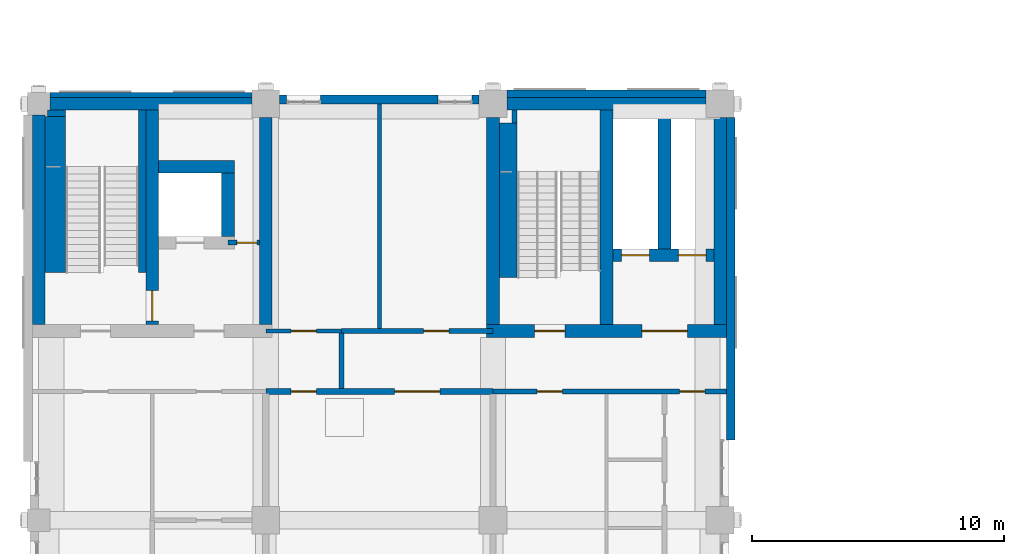
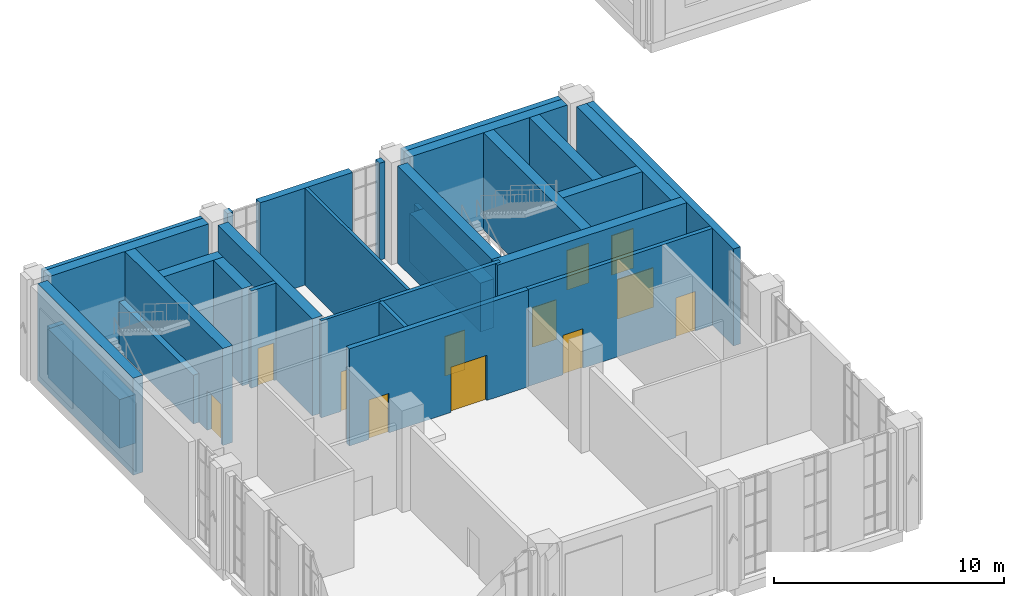
# One storey, part 26 of 39: 31 walls, 12 doors, 12 openings.
"""IFC4 building model written with IfcOpenShell, lengths in metres."""

from ifc_helpers import new_model, si_unit, direction, frame, frame_2d, origin, place, context, subcontext, project, spatial, rectangle, extrude, material, layer, layer_set, type_object, element, fill, save


model = new_model("IFC4")

# Units and contexts
model_context = context("Model", 3, precision=1e-05, world=origin(), true_north=direction((0.0, 1.0)))
body_context = subcontext(model_context, "Body", "Model", "MODEL_VIEW")
ifc_project = project(units=[si_unit("LENGTHUNIT", "METRE"), si_unit("AREAUNIT", "SQUARE_METRE"), si_unit("VOLUMEUNIT", "CUBIC_METRE"), si_unit("PLANEANGLEUNIT", "RADIAN"), si_unit("MASSUNIT", "GRAM", prefix="KILO")], contexts=[model_context])

# Site, building, storey
site_placement = place(None, origin())
site = spatial("IfcSite", under=ifc_project, at=site_placement, CompositionType="ELEMENT")
building_placement = place(site_placement, origin())
building = spatial("IfcBuilding", under=site, at=building_placement, Name="Aurelan Courthouse", CompositionType="ELEMENT")
storey_placement = place(building_placement, frame((0.0, 0.0, 28.199951171875)))
storey = spatial("IfcBuildingStorey", under=building, at=storey_placement, Name="L05", CompositionType="ELEMENT", Elevation=28.199951171875)

# Wall, opening, door
ifc_material_1 = material(Name="Gypsum board on metal studs")
ifc_layer_1 = layer(ifc_material_1, 0.14990234375)
ifc_layer_set_1 = layer_set([ifc_layer_1], Name="Gypsum board on metal studs")
wall_type_1 = type_object("IfcWallType", Name="Corridor partition 150 EI 60", PredefinedType="PARTITIONING", material=ifc_layer_set_1)
wall_1_placement = place(storey_placement, frame((9.0, 19.5, 0.0), z_axis=(0.0, 0.0, 1.0), x_axis=(1.0, 0.0, 0.0)))
wall_1 = element("IfcWall", 1, at=wall_1_placement, inside=storey, type_object=wall_type_1, Name="Corridor partition L05-011", PredefinedType="PARTITIONING", context=body_context, shape_type="SweptSolid", body=[
    extrude(rectangle(XDim=3.0, YDim=0.14990234375, at=frame_2d((1.5, 0.0))), origin(), (0.0, 0.0, 1.0), 5.150146484375),
])
opening_1_placement = place(wall_1_placement, frame((1.0, 0.0, 0.0)))
opening_1 = element("IfcOpeningElement", 2, at=opening_1_placement, cuts=wall_1, Name="Opening D-L05-057", PredefinedType="OPENING", context=body_context, shape_type="SweptSolid", body=[
    extrude(rectangle(XDim=1.0, YDim=2.10009765625, at=frame_2d((0.5, 1.050048828125))), frame((0.0, 0.0849609375, 0.0), z_axis=(0.0, -1.0, 0.0), x_axis=(1.0, 0.0, 0.0)), (0.0, 0.0, 1.0), 0.169921875),
])
ifc_material_2 = material(Name="Steel", Category="steel")
door_type_1 = type_object("IfcDoorType", Name="Single door 1000 x 2100 FD60", OperationType="SINGLE_SWING_LEFT", PredefinedType="DOOR", material=ifc_material_2)
door_1_placement = place(opening_1_placement, origin())
door_1 = element("IfcDoor", 3, at=door_1_placement, inside=storey, type_object=door_type_1, Name="Single door D-L05-057", OperationType="SINGLE_SWING_LEFT", OverallHeight=2.10009765625, OverallWidth=1.0, PredefinedType="DOOR", context=body_context, shape_type="SweptSolid", body=[
    extrude(rectangle(XDim=1.0, YDim=2.10009765625, at=frame_2d((0.5, 1.050048828125))), frame((0.0, 0.02490234375, 0.0), z_axis=(0.0, -1.0, 0.0), x_axis=(1.0, 0.0, 0.0)), (0.0, 0.0, 1.0), 0.050048828125),
])
fill(opening_1, door_1)

# Wall, openings, doors
ifc_material_3 = material(Name="Masonry block", Category="masonry")
ifc_layer_2 = layer(ifc_material_3, 0.25)
ifc_layer_set_2 = layer_set([ifc_layer_2], Name="Masonry block")
wall_type_2 = type_object("IfcWallType", Name="Courtroom wall 250 EI 60", PredefinedType="PARTITIONING", material=ifc_layer_set_2)
wall_2_placement = place(storey_placement, frame((9.0, 17.10009765625, 0.0), z_axis=(0.0, 0.0, 1.0), x_axis=(1.0, 0.0, 0.0)))
wall_2 = element("IfcWall", 4, at=wall_2_placement, inside=storey, type_object=wall_type_2, Name="Courtroom wall L05-009", PredefinedType="PARTITIONING", context=body_context, shape_type="SweptSolid", body=[
    extrude(rectangle(XDim=9.0, YDim=0.25, at=frame_2d((4.5, 0.0))), origin(), (0.0, 0.0, 1.0), 5.150146484375),
])
opening_2_placement = place(wall_2_placement, frame((6.900146484375, 0.0, 0.0), z_axis=(0.0, 0.0, 1.0), x_axis=(-1.0, 0.0, 0.0)))
opening_2 = element("IfcOpeningElement", 5, at=opening_2_placement, cuts=wall_2, Name="Opening D-L05-055", PredefinedType="OPENING", context=body_context, shape_type="SweptSolid", body=[
    extrude(rectangle(XDim=1.800048828125, YDim=2.39990234375, at=frame_2d((0.89990234375, 1.199951171875))), frame((0.0, 0.135009765625, 0.0), z_axis=(0.0, -1.0, 0.0), x_axis=(1.0, 0.0, 0.0)), (0.0, 0.0, 1.0), 0.27001953125),
])
opening_3_placement = place(wall_2_placement, frame((2.0, 0.0, 0.0), z_axis=(0.0, 0.0, 1.0), x_axis=(-1.0, 0.0, 0.0)))
opening_3 = element("IfcOpeningElement", 6, at=opening_3_placement, cuts=wall_2, Name="Opening D-L05-056", PredefinedType="OPENING", context=body_context, shape_type="SweptSolid", body=[
    extrude(rectangle(XDim=1.0, YDim=2.10009765625, at=frame_2d((0.5, 1.050048828125))), frame((0.0, 0.135009765625, 0.0), z_axis=(0.0, -1.0, 0.0), x_axis=(1.0, 0.0, 0.0)), (0.0, 0.0, 1.0), 0.27001953125),
])
door_type_2 = type_object("IfcDoorType", Name="Double door 1800 x 2400 FD30", OperationType="DOUBLE_DOOR_SINGLE_SWING", PredefinedType="DOOR", material=ifc_material_2)
door_2_placement = place(opening_2_placement, origin())
door_2 = element("IfcDoor", 7, at=door_2_placement, inside=storey, type_object=door_type_2, Name="Double door D-L05-055", OperationType="DOUBLE_DOOR_SINGLE_SWING", OverallHeight=2.39990234375, OverallWidth=1.800048828125, PredefinedType="DOOR", context=body_context, shape_type="SweptSolid", body=[
    extrude(rectangle(XDim=1.800048828125, YDim=2.39990234375, at=frame_2d((0.89990234375, 1.199951171875))), frame((0.0, 0.02490234375, 0.0), z_axis=(0.0, -1.0, 0.0), x_axis=(1.0, 0.0, 0.0)), (0.0, 0.0, 1.0), 0.050048828125),
])
fill(opening_2, door_2)
door_type_3 = type_object("IfcDoorType", Name="Single door 1000 x 2100 FD30", OperationType="SINGLE_SWING_LEFT", PredefinedType="DOOR", material=ifc_material_2)
door_3_placement = place(opening_3_placement, origin())
door_3 = element("IfcDoor", 8, at=door_3_placement, inside=storey, type_object=door_type_3, Name="Single door D-L05-056", OperationType="SINGLE_SWING_RIGHT", OverallHeight=2.10009765625, OverallWidth=1.0, PredefinedType="DOOR", context=body_context, shape_type="SweptSolid", body=[
    extrude(rectangle(XDim=1.0, YDim=2.10009765625, at=frame_2d((0.5, 1.050048828125))), frame((0.0, 0.02490234375, 0.0), z_axis=(0.0, -1.0, 0.0), x_axis=(1.0, 0.0, 0.0)), (0.0, 0.0, 1.0), 0.050048828125),
])
fill(opening_3, door_3)

# Walls
ifc_material_4 = material(Name="Limestone cladding", Category="masonry")
ifc_layer_3 = layer(ifc_material_4, 0.054931640625, Name="Facing")
ifc_material_5 = material(Name="Ventilated cavity")
ifc_layer_4 = layer(ifc_material_5, 0.02490234375, ventilated=True, Name="Ventilated cavity")
ifc_material_6 = material(Name="Mineral wool insulation")
ifc_layer_5 = layer(ifc_material_6, 0.030029296875, Name="Insulation")
ifc_material_7 = material(Name="Concrete C30", Category="concrete")
ifc_layer_6 = layer(ifc_material_7, 0.090087890625, Name="Structure")
ifc_layer_set_3 = layer_set([ifc_layer_3, ifc_layer_4, ifc_layer_5, ifc_layer_6], Name="Concrete C30")
wall_type_3 = type_object("IfcWallType", Name="Courts' Floors stone-faced wall 200", PredefinedType="SOLIDWALL", material=ifc_layer_set_3)
wall_3_placement = place(storey_placement, frame((0.449951171875, 28.85009765625, 0.0), z_axis=(0.0, 0.0, 1.0), x_axis=(1.0, 0.0, 0.0)))
element("IfcWall", 9, at=wall_3_placement, inside=storey, type_object=wall_type_3, Name="Facade wall FW-V5-L05-009", PredefinedType="SOLIDWALL", context=body_context, shape_type="SweptSolid", body=[
    extrude(rectangle(XDim=8.0, YDim=0.199951171875, at=frame_2d((4.0, 0.0))), origin(), (0.0, 0.0, 1.0), 5.150146484375),
])
ifc_layer_7 = layer(ifc_material_4, 0.0849609375, Name="Facing")
ifc_layer_8 = layer(ifc_material_5, 0.02490234375, ventilated=True, Name="Ventilated cavity")
ifc_layer_9 = layer(ifc_material_6, 0.044921875, Name="Insulation")
ifc_layer_10 = layer(ifc_material_7, 0.14501953125, Name="Structure")
ifc_layer_set_4 = layer_set([ifc_layer_7, ifc_layer_8, ifc_layer_9, ifc_layer_10], Name="Concrete C30")
wall_type_4 = type_object("IfcWallType", Name="Courts' Floors stone-faced wall 300", PredefinedType="SOLIDWALL", material=ifc_layer_set_4)
wall_4_placement = place(storey_placement, frame((18.550048828125, 28.89990234375, 0.0), z_axis=(0.0, 0.0, 1.0), x_axis=(1.0, 0.0, 0.0)))
element("IfcWall", 10, at=wall_4_placement, inside=storey, type_object=wall_type_4, Name="Facade wall FW-V5-L05-013", PredefinedType="SOLIDWALL", context=body_context, shape_type="SweptSolid", body=[
    extrude(rectangle(XDim=7.89990234375, YDim=0.300048828125, at=frame_2d((3.949951171875, 0.0))), origin(), (0.0, 0.0, 1.0), 5.150146484375),
])
ifc_layer_11 = layer(ifc_material_4, 0.10009765625, Name="Facing")
ifc_layer_12 = layer(ifc_material_5, 0.02490234375, ventilated=True, Name="Ventilated cavity")
ifc_layer_13 = layer(ifc_material_6, 0.050048828125, Name="Insulation")
ifc_layer_14 = layer(ifc_material_7, 0.175048828125, Name="Structure")
ifc_layer_set_5 = layer_set([ifc_layer_11, ifc_layer_12, ifc_layer_13, ifc_layer_14], Name="Concrete C30")
wall_type_5 = type_object("IfcWallType", Name="Courts' Floors stone-faced wall 350", PredefinedType="SOLIDWALL", material=ifc_layer_set_5)
wall_5_placement = place(storey_placement, frame((9.550048828125, 28.675048828125, 0.0), z_axis=(0.0, 0.0, 1.0), x_axis=(1.0, 0.0, 0.0)))
element("IfcWall", 11, at=wall_5_placement, inside=storey, type_object=wall_type_5, Name="Facade wall FW-V5-L05-010", PredefinedType="SOLIDWALL", context=body_context, shape_type="SweptSolid", body=[
    extrude(rectangle(XDim=0.27490234375, YDim=0.35009765625, at=frame_2d((0.137451171875, 0.0))), origin(), (0.0, 0.0, 1.0), 5.150146484375),
])
wall_6_placement = place(storey_placement, frame((11.175048828125, 28.675048828125, 0.0), z_axis=(0.0, 0.0, 1.0), x_axis=(1.0, 0.0, 0.0)))
element("IfcWall", 12, at=wall_6_placement, inside=storey, type_object=wall_type_5, Name="Facade wall FW-V5-L05-011", PredefinedType="SOLIDWALL", context=body_context, shape_type="SweptSolid", body=[
    extrude(rectangle(XDim=4.64990234375, YDim=0.35009765625, at=frame_2d((2.324951171875, 0.0))), origin(), (0.0, 0.0, 1.0), 5.150146484375),
])
wall_7_placement = place(storey_placement, frame((17.175048828125, 28.675048828125, 0.0), z_axis=(0.0, 0.0, 1.0), x_axis=(1.0, 0.0, 0.0)))
element("IfcWall", 13, at=wall_7_placement, inside=storey, type_object=wall_type_5, Name="Facade wall FW-V5-L05-012", PredefinedType="SOLIDWALL", context=body_context, shape_type="SweptSolid", body=[
    extrude(rectangle(XDim=0.27490234375, YDim=0.35009765625, at=frame_2d((0.137451171875, 0.0))), origin(), (0.0, 0.0, 1.0), 5.150146484375),
])
wall_8_placement = place(storey_placement, frame((27.425048828125, 15.1875, 0.0), z_axis=(0.0, 0.0, 1.0), x_axis=(0.0, 1.0, 0.0)))
element("IfcWall", 14, at=wall_8_placement, inside=storey, type_object=wall_type_5, Name="Facade wall FW-V5-L05-019", PredefinedType="SOLIDWALL", context=body_context, shape_type="SweptSolid", body=[
    extrude(rectangle(XDim=12.762451171875, YDim=0.35009765625, at=frame_2d((6.38134765625, 0.0))), origin(), (0.0, 0.0, 1.0), 5.150146484375),
])

# Wall, openings, doors
ifc_layer_15 = layer(ifc_material_3, 0.199951171875)
ifc_layer_set_6 = layer_set([ifc_layer_15], Name="Masonry block")
wall_type_6 = type_object("IfcWallType", Name="Lift lobby wall 200 EI 60", PredefinedType="PARTITIONING", material=ifc_layer_set_6)
wall_9_placement = place(storey_placement, frame((18.0, 17.10009765625, 0.0), z_axis=(0.0, 0.0, 1.0), x_axis=(1.0, 0.0, 0.0)))
wall_9 = element("IfcWall", 15, at=wall_9_placement, inside=storey, type_object=wall_type_6, Name="Lift lobby wall L05-010", PredefinedType="PARTITIONING", context=body_context, shape_type="SweptSolid", body=[
    extrude(rectangle(XDim=9.25, YDim=0.199951171875, at=frame_2d((4.625, 0.0))), origin(), (0.0, 0.0, 1.0), 5.150146484375),
])
opening_4_placement = place(wall_9_placement, frame((2.75, 0.0, 0.0), z_axis=(0.0, 0.0, 1.0), x_axis=(-1.0, 0.0, 0.0)))
opening_4 = element("IfcOpeningElement", 16, at=opening_4_placement, cuts=wall_9, Name="Opening D-L05-063", PredefinedType="OPENING", context=body_context, shape_type="SweptSolid", body=[
    extrude(rectangle(XDim=1.0, YDim=2.10009765625, at=frame_2d((0.5, 1.050048828125))), frame((0.0, 0.10986328125, 0.0), z_axis=(0.0, -1.0, 0.0), x_axis=(1.0, 0.0, 0.0)), (0.0, 0.0, 1.0), 0.219970703125),
])
opening_5_placement = place(wall_9_placement, frame((7.39990234375, 0.0, 0.0)))
opening_5 = element("IfcOpeningElement", 17, at=opening_5_placement, cuts=wall_9, Name="Opening D-L05-064", PredefinedType="OPENING", context=body_context, shape_type="SweptSolid", body=[
    extrude(rectangle(XDim=1.0, YDim=2.10009765625, at=frame_2d((0.5, 1.050048828125))), frame((0.0, 0.10986328125, 0.0), z_axis=(0.0, -1.0, 0.0), x_axis=(1.0, 0.0, 0.0)), (0.0, 0.0, 1.0), 0.219970703125),
])
door_4_placement = place(opening_4_placement, origin())
door_4 = element("IfcDoor", 18, at=door_4_placement, inside=storey, type_object=door_type_1, Name="Single door D-L05-063", OperationType="SINGLE_SWING_LEFT", OverallHeight=2.10009765625, OverallWidth=1.0, PredefinedType="DOOR", context=body_context, shape_type="SweptSolid", body=[
    extrude(rectangle(XDim=1.0, YDim=2.10009765625, at=frame_2d((0.5, 1.050048828125))), frame((0.0, 0.02490234375, 0.0), z_axis=(0.0, -1.0, 0.0), x_axis=(1.0, 0.0, 0.0)), (0.0, 0.0, 1.0), 0.050048828125),
])
fill(opening_4, door_4)
door_5_placement = place(opening_5_placement, origin())
door_5 = element("IfcDoor", 19, at=door_5_placement, inside=storey, type_object=door_type_1, Name="Single door D-L05-064", OperationType="SINGLE_SWING_RIGHT", OverallHeight=2.10009765625, OverallWidth=1.0, PredefinedType="DOOR", context=body_context, shape_type="SweptSolid", body=[
    extrude(rectangle(XDim=1.0, YDim=2.10009765625, at=frame_2d((0.5, 1.050048828125))), frame((0.0, 0.02490234375, 0.0), z_axis=(0.0, -1.0, 0.0), x_axis=(1.0, 0.0, 0.0)), (0.0, 0.0, 1.0), 0.050048828125),
])
fill(opening_5, door_5)

# Wall, opening, door
wall_10_placement = place(storey_placement, frame((12.0, 19.5, 0.0), z_axis=(0.0, 0.0, 1.0), x_axis=(1.0, 0.0, 0.0)))
wall_10 = element("IfcWall", 20, at=wall_10_placement, inside=storey, type_object=wall_type_6, Name="Lift lobby wall L05-012", PredefinedType="PARTITIONING", context=body_context, shape_type="SweptSolid", body=[
    extrude(rectangle(XDim=6.0, YDim=0.199951171875, at=frame_2d((3.0, 0.0))), origin(), (0.0, 0.0, 1.0), 5.150146484375),
])
opening_6_placement = place(wall_10_placement, frame((3.25, 0.0, 0.0)))
opening_6 = element("IfcOpeningElement", 21, at=opening_6_placement, cuts=wall_10, Name="Opening D-L05-058", PredefinedType="OPENING", context=body_context, shape_type="SweptSolid", body=[
    extrude(rectangle(XDim=1.0, YDim=2.10009765625, at=frame_2d((0.5, 1.050048828125))), frame((0.0, 0.10986328125, 0.0), z_axis=(0.0, -1.0, 0.0), x_axis=(1.0, 0.0, 0.0)), (0.0, 0.0, 1.0), 0.219970703125),
])
door_6_placement = place(opening_6_placement, origin())
door_6 = element("IfcDoor", 22, at=door_6_placement, inside=storey, type_object=door_type_1, Name="Single door D-L05-058", OperationType="SINGLE_SWING_LEFT", OverallHeight=2.10009765625, OverallWidth=1.0, PredefinedType="DOOR", context=body_context, shape_type="SweptSolid", body=[
    extrude(rectangle(XDim=1.0, YDim=2.10009765625, at=frame_2d((0.5, 1.050048828125))), frame((0.0, 0.02490234375, 0.0), z_axis=(0.0, -1.0, 0.0), x_axis=(1.0, 0.0, 0.0)), (0.0, 0.0, 1.0), 0.050048828125),
])
fill(opening_6, door_6)

# Walls
wall_11_placement = place(storey_placement, frame((12.0, 17.22509765625, 0.0), z_axis=(0.0, 0.0, 1.0), x_axis=(0.0, 1.0, 0.0)))
element("IfcWall", 23, at=wall_11_placement, inside=storey, type_object=wall_type_6, Name="Lift lobby wall L05-044", PredefinedType="PARTITIONING", context=body_context, shape_type="SweptSolid", body=[
    extrude(rectangle(XDim=2.199951171875, YDim=0.199951171875, at=frame_2d((1.10009765625, 0.0))), origin(), (0.0, 0.0, 1.0), 5.150146484375),
])
ifc_layer_16 = layer(ifc_material_1, 0.14990234375)
ifc_layer_set_7 = layer_set([ifc_layer_16], Name="Gypsum board on metal studs")
wall_type_7 = type_object("IfcWallType", Name="Partition 150 NOT RATED", PredefinedType="PARTITIONING", material=ifc_layer_set_7)
wall_12_placement = place(storey_placement, frame((13.5, 19.60009765625, 0.0), z_axis=(0.0, 0.0, 1.0), x_axis=(0.0, 1.0, 0.0)))
element("IfcWall", 24, at=wall_12_placement, inside=storey, type_object=wall_type_7, Name="Partition L05-045", PredefinedType="PARTITIONING", context=body_context, shape_type="SweptSolid", body=[
    extrude(rectangle(XDim=8.89990234375, YDim=0.14990234375, at=frame_2d((4.449951171875, 0.0))), origin(), (0.0, 0.0, 1.0), 5.150146484375),
])

# Wall, openings, doors
ifc_material_8 = material(Name="Concrete C50", Category="concrete")
ifc_layer_17 = layer(ifc_material_8, 0.5)
ifc_layer_set_8 = layer_set([ifc_layer_17], Name="Concrete C50")
wall_type_8 = type_object("IfcWallType", Name="RC shear wall 500", PredefinedType="SHEAR", material=ifc_layer_set_8)
wall_13_placement = place(storey_placement, frame((17.75, 19.5, 0.0), z_axis=(0.0, 0.0, 1.0), x_axis=(1.0, 0.0, 0.0)))
wall_13 = element("IfcWall", 25, at=wall_13_placement, inside=storey, type_object=wall_type_8, Name="Core wall SW-L05-002", PredefinedType="SHEAR", context=body_context, shape_type="SweptSolid", body=[
    extrude(rectangle(XDim=9.5, YDim=0.5, at=frame_2d((4.75, 0.0))), origin(), (0.0, 0.0, 1.0), 5.150146484375),
])
opening_7_placement = place(wall_13_placement, frame((1.89990234375, 0.0, 0.0)))
opening_7 = element("IfcOpeningElement", 26, at=opening_7_placement, cuts=wall_13, Name="Opening D-L05-051", PredefinedType="OPENING", context=body_context, shape_type="SweptSolid", body=[
    extrude(rectangle(XDim=1.199951171875, YDim=2.10009765625, at=frame_2d((0.60009765625, 1.050048828125))), frame((0.0, 0.260009765625, 0.0), z_axis=(0.0, -1.0, 0.0), x_axis=(1.0, 0.0, 0.0)), (0.0, 0.0, 1.0), 0.52001953125),
])
opening_8_placement = place(wall_13_placement, frame((7.949951171875, 0.0, 0.0), z_axis=(0.0, 0.0, 1.0), x_axis=(-1.0, 0.0, 0.0)))
opening_8 = element("IfcOpeningElement", 27, at=opening_8_placement, cuts=wall_13, Name="Opening D-L05-052", PredefinedType="OPENING", context=body_context, shape_type="SweptSolid", body=[
    extrude(rectangle(XDim=1.800048828125, YDim=2.10009765625, at=frame_2d((0.89990234375, 1.050048828125))), frame((0.0, 0.260009765625, 0.0), z_axis=(0.0, -1.0, 0.0), x_axis=(1.0, 0.0, 0.0)), (0.0, 0.0, 1.0), 0.52001953125),
])
door_type_4 = type_object("IfcDoorType", Name="Double door 1800 x 2100 FD90", OperationType="DOUBLE_DOOR_SINGLE_SWING", PredefinedType="DOOR", material=ifc_material_2)
door_7_placement = place(opening_8_placement, origin())
door_7 = element("IfcDoor", 28, at=door_7_placement, inside=storey, type_object=door_type_4, Name="Double door D-L05-052", OperationType="DOUBLE_DOOR_SINGLE_SWING", OverallHeight=2.10009765625, OverallWidth=1.800048828125, PredefinedType="DOOR", context=body_context, shape_type="SweptSolid", body=[
    extrude(rectangle(XDim=1.800048828125, YDim=2.10009765625, at=frame_2d((0.89990234375, 1.050048828125))), frame((0.0, 0.02490234375, 0.0), z_axis=(0.0, -1.0, 0.0), x_axis=(1.0, 0.0, 0.0)), (0.0, 0.0, 1.0), 0.050048828125),
])
fill(opening_8, door_7)
door_type_5 = type_object("IfcDoorType", Name="Single door 1200 x 2100 FD90", OperationType="SINGLE_SWING_LEFT", PredefinedType="DOOR", material=ifc_material_2)
door_8_placement = place(opening_7_placement, origin())
door_8 = element("IfcDoor", 29, at=door_8_placement, inside=storey, type_object=door_type_5, Name="Single door D-L05-051", OperationType="SINGLE_SWING_RIGHT", OverallHeight=2.10009765625, OverallWidth=1.199951171875, PredefinedType="DOOR", context=body_context, shape_type="SweptSolid", body=[
    extrude(rectangle(XDim=1.199951171875, YDim=2.10009765625, at=frame_2d((0.60009765625, 1.050048828125))), frame((0.0, 0.02490234375, 0.0), z_axis=(0.0, -1.0, 0.0), x_axis=(1.0, 0.0, 0.0)), (0.0, 0.0, 1.0), 0.050048828125),
])
fill(opening_7, door_8)

# Wall
wall_14_placement = place(storey_placement, frame((0.0, 19.75, 0.0), z_axis=(0.0, 0.0, 1.0), x_axis=(0.0, 1.0, 0.0)))
element("IfcWall", 30, at=wall_14_placement, inside=storey, type_object=wall_type_8, Name="Core wall SW-L05-003", PredefinedType="SHEAR", context=body_context, shape_type="SweptSolid", body=[
    extrude(rectangle(XDim=8.300048828125, YDim=0.5, at=frame_2d((4.14990234375, 0.0))), origin(), (0.0, 0.0, 1.0), 5.150146484375),
])

# Wall, opening, door
wall_15_placement = place(storey_placement, frame((4.5, 19.75, 0.0), z_axis=(0.0, 0.0, 1.0), x_axis=(0.0, 1.0, 0.0)))
wall_15 = element("IfcWall", 31, at=wall_15_placement, inside=storey, type_object=wall_type_8, Name="Core wall SW-L05-004", PredefinedType="SHEAR", context=body_context, shape_type="SweptSolid", body=[
    extrude(rectangle(XDim=8.5, YDim=0.5, at=frame_2d((4.25, 0.0))), origin(), (0.0, 0.0, 1.0), 5.150146484375),
])
opening_9_placement = place(wall_15_placement, frame((0.14990234375, 0.0, 0.0)))
opening_9 = element("IfcOpeningElement", 32, at=opening_9_placement, cuts=wall_15, Name="Opening D-L05-047", PredefinedType="OPENING", context=body_context, shape_type="SweptSolid", body=[
    extrude(rectangle(XDim=1.199951171875, YDim=2.10009765625, at=frame_2d((0.60009765625, 1.050048828125))), frame((0.0, 0.260009765625, 0.0), z_axis=(0.0, -1.0, 0.0), x_axis=(1.0, 0.0, 0.0)), (0.0, 0.0, 1.0), 0.52001953125),
])
door_9_placement = place(opening_9_placement, origin())
door_9 = element("IfcDoor", 33, at=door_9_placement, inside=storey, type_object=door_type_5, Name="Single door D-L05-047", OperationType="SINGLE_SWING_LEFT", OverallHeight=2.10009765625, OverallWidth=1.199951171875, PredefinedType="DOOR", context=body_context, shape_type="SweptSolid", body=[
    extrude(rectangle(XDim=1.199951171875, YDim=2.10009765625, at=frame_2d((0.60009765625, 1.050048828125))), frame((0.0, 0.02490234375, 0.0), z_axis=(0.0, -1.0, 0.0), x_axis=(1.0, 0.0, 0.0)), (0.0, 0.0, 1.0), 0.050048828125),
])
fill(opening_9, door_9)

# Walls
for number, where, z_axis, x_axis, name in (
    (34, (9.0, 19.75, 0.0), (0.0, 0.0, 1.0), (0.0, 1.0, 0.0), "Core wall SW-L05-005"),
    (35, (18.0, 19.75, 0.0), (0.0, 0.0, 1.0), (0.0, 1.0, 0.0), "Core wall SW-L05-006"),
):
    element("IfcWall", number, at=place(storey_placement, frame(where, z_axis=z_axis, x_axis=x_axis)), inside=storey, type_object=wall_type_8, Name=name, PredefinedType="SHEAR", context=body_context, shape_type="SweptSolid", body=[
        extrude(rectangle(XDim=8.199951171875, YDim=0.5, at=frame_2d((4.10009765625, 0.0))), origin(), (0.0, 0.0, 1.0), 5.150146484375),
    ])
wall_16_placement = place(storey_placement, frame((22.5, 19.75, 0.0), z_axis=(0.0, 0.0, 1.0), x_axis=(0.0, 1.0, 0.0)))
element("IfcWall", 36, at=wall_16_placement, inside=storey, type_object=wall_type_8, Name="Core wall SW-L05-007", PredefinedType="SHEAR", context=body_context, shape_type="SweptSolid", body=[
    extrude(rectangle(XDim=8.5, YDim=0.5, at=frame_2d((4.25, 0.0))), origin(), (0.0, 0.0, 1.0), 5.150146484375),
])
wall_17_placement = place(storey_placement, frame((27.0, 19.75, 0.0), z_axis=(0.0, 0.0, 1.0), x_axis=(0.0, 1.0, 0.0)))
element("IfcWall", 37, at=wall_17_placement, inside=storey, type_object=wall_type_8, Name="Core wall SW-L05-008", PredefinedType="SHEAR", context=body_context, shape_type="SweptSolid", body=[
    extrude(rectangle(XDim=8.199951171875, YDim=0.5, at=frame_2d((4.10009765625, 0.0))), origin(), (0.0, 0.0, 1.0), 5.150146484375),
])

# Wall, openings, doors
wall_18_placement = place(storey_placement, frame((22.75, 22.5, 0.0), z_axis=(0.0, 0.0, 1.0), x_axis=(1.0, 0.0, 0.0)))
wall_18 = element("IfcWall", 38, at=wall_18_placement, inside=storey, type_object=wall_type_8, Name="Core wall SW-L05-009", PredefinedType="SHEAR", context=body_context, shape_type="SweptSolid", body=[
    extrude(rectangle(XDim=4.0, YDim=0.5, at=frame_2d((2.0, 0.0))), origin(), (0.0, 0.0, 1.0), 5.150146484375),
])
opening_10_placement = place(wall_18_placement, frame((0.35009765625, 0.0, 0.0)))
opening_10 = element("IfcOpeningElement", 39, at=opening_10_placement, cuts=wall_18, Name="Opening LD-V5-P1-L05", PredefinedType="OPENING", context=body_context, shape_type="SweptSolid", body=[
    extrude(rectangle(XDim=1.10009765625, YDim=2.10009765625, at=frame_2d((0.550048828125, 1.050048828125))), frame((0.0, 0.260009765625, 0.0), z_axis=(0.0, -1.0, 0.0), x_axis=(1.0, 0.0, 0.0)), (0.0, 0.0, 1.0), 0.52001953125),
])
opening_11_placement = place(wall_18_placement, frame((2.60009765625, 0.0, 0.0)))
opening_11 = element("IfcOpeningElement", 40, at=opening_11_placement, cuts=wall_18, Name="Opening LD-V5-P2-L05", PredefinedType="OPENING", context=body_context, shape_type="SweptSolid", body=[
    extrude(rectangle(XDim=1.10009765625, YDim=2.10009765625, at=frame_2d((0.550048828125, 1.050048828125))), frame((0.0, 0.260009765625, 0.0), z_axis=(0.0, -1.0, 0.0), x_axis=(1.0, 0.0, 0.0)), (0.0, 0.0, 1.0), 0.52001953125),
])
door_type_6 = type_object("IfcDoorType", Name="Lift landing door 1100 x 2100 FD90", OperationType="SLIDING_TO_LEFT", PredefinedType="DOOR", material=ifc_material_2)
door_10_placement = place(opening_10_placement, origin())
door_10 = element("IfcDoor", 41, at=door_10_placement, inside=storey, type_object=door_type_6, Name="Lift landing door LD-V5-P1-L05", OperationType="SLIDING_TO_LEFT", OverallHeight=2.10009765625, OverallWidth=1.10009765625, PredefinedType="DOOR", context=body_context, shape_type="SweptSolid", body=[
    extrude(rectangle(XDim=1.10009765625, YDim=2.10009765625, at=frame_2d((0.550048828125, 1.050048828125))), frame((0.0, 0.02490234375, 0.0), z_axis=(0.0, -1.0, 0.0), x_axis=(1.0, 0.0, 0.0)), (0.0, 0.0, 1.0), 0.050048828125),
])
fill(opening_10, door_10)
door_11_placement = place(opening_11_placement, origin())
door_11 = element("IfcDoor", 42, at=door_11_placement, inside=storey, type_object=door_type_6, Name="Lift landing door LD-V5-P2-L05", OperationType="SLIDING_TO_LEFT", OverallHeight=2.10009765625, OverallWidth=1.10009765625, PredefinedType="DOOR", context=body_context, shape_type="SweptSolid", body=[
    extrude(rectangle(XDim=1.10009765625, YDim=2.10009765625, at=frame_2d((0.550048828125, 1.050048828125))), frame((0.0, 0.02490234375, 0.0), z_axis=(0.0, -1.0, 0.0), x_axis=(1.0, 0.0, 0.0)), (0.0, 0.0, 1.0), 0.050048828125),
])
fill(opening_11, door_11)

# Walls
wall_19_placement = place(storey_placement, frame((24.800048828125, 22.75, 0.0), z_axis=(0.0, 0.0, 1.0), x_axis=(0.0, 1.0, 0.0)))
element("IfcWall", 43, at=wall_19_placement, inside=storey, type_object=wall_type_8, Name="Core wall SW-L05-010", PredefinedType="SHEAR", context=body_context, shape_type="SweptSolid", body=[
    extrude(rectangle(XDim=5.5, YDim=0.5, at=frame_2d((2.75, 0.0))), origin(), (0.0, 0.0, 1.0), 5.150146484375),
])
wall_20_placement = place(storey_placement, frame((7.5, 23.25, 0.0), z_axis=(0.0, 0.0, 1.0), x_axis=(0.0, 1.0, 0.0)))
element("IfcWall", 44, at=wall_20_placement, inside=storey, type_object=wall_type_8, Name="Core wall SW-L05-012", PredefinedType="SHEAR", context=body_context, shape_type="SweptSolid", body=[
    extrude(rectangle(XDim=2.5, YDim=0.5, at=frame_2d((1.25, 0.0))), origin(), (0.0, 0.0, 1.0), 5.150146484375),
])
wall_21_placement = place(storey_placement, frame((4.75, 26.0, 0.0), z_axis=(0.0, 0.0, 1.0), x_axis=(1.0, 0.0, 0.0)))
element("IfcWall", 45, at=wall_21_placement, inside=storey, type_object=wall_type_8, Name="Core wall SW-L05-013", PredefinedType="SHEAR", context=body_context, shape_type="SweptSolid", body=[
    extrude(rectangle(XDim=3.0, YDim=0.5, at=frame_2d((1.5, 0.0))), origin(), (0.0, 0.0, 1.0), 5.150146484375),
])
wall_22_placement = place(storey_placement, frame((0.449951171875, 28.5, 0.0), z_axis=(0.0, 0.0, 1.0), x_axis=(1.0, 0.0, 0.0)))
element("IfcWall", 46, at=wall_22_placement, inside=storey, type_object=wall_type_8, Name="Core wall SW-L05-014", PredefinedType="SHEAR", context=body_context, shape_type="SweptSolid", body=[
    extrude(rectangle(XDim=8.0, YDim=0.5, at=frame_2d((4.0, 0.0))), origin(), (0.0, 0.0, 1.0), 5.150146484375),
])
wall_23_placement = place(storey_placement, frame((18.550048828125, 28.5, 0.0), z_axis=(0.0, 0.0, 1.0), x_axis=(1.0, 0.0, 0.0)))
element("IfcWall", 47, at=wall_23_placement, inside=storey, type_object=wall_type_8, Name="Core wall SW-L05-015", PredefinedType="SHEAR", context=body_context, shape_type="SweptSolid", body=[
    extrude(rectangle(XDim=7.89990234375, YDim=0.5, at=frame_2d((3.949951171875, 0.0))), origin(), (0.0, 0.0, 1.0), 5.150146484375),
])

# Wall, opening, door
ifc_layer_18 = layer(ifc_material_7, 0.199951171875)
ifc_layer_set_9 = layer_set([ifc_layer_18], Name="Concrete C30")
wall_type_9 = type_object("IfcWallType", Name="Shaft wall 200 EI 120 load-bearing", PredefinedType="SHEAR", material=ifc_layer_set_9)
wall_24_placement = place(storey_placement, frame((7.5, 23.0, 0.0), z_axis=(0.0, 0.0, 1.0), x_axis=(1.0, 0.0, 0.0)))
wall_24 = element("IfcWall", 48, at=wall_24_placement, inside=storey, type_object=wall_type_9, Name="Shaft wall L05-013", PredefinedType="SHEAR", context=body_context, shape_type="SweptSolid", body=[
    extrude(rectangle(XDim=1.25, YDim=0.199951171875, at=frame_2d((0.625, 0.0))), origin(), (0.0, 0.0, 1.0), 5.150146484375),
])
opening_12_placement = place(wall_24_placement, frame((1.150146484375, 0.0, 0.0), z_axis=(0.0, 0.0, 1.0), x_axis=(-1.0, 0.0, 0.0)))
opening_12 = element("IfcOpeningElement", 49, at=opening_12_placement, cuts=wall_24, Name="Opening D-L05-050", PredefinedType="OPENING", context=body_context, shape_type="SweptSolid", body=[
    extrude(rectangle(XDim=0.800048828125, YDim=2.0, at=frame_2d((0.39990234375, 1.0))), frame((0.0, 0.10986328125, 0.0), z_axis=(0.0, -1.0, 0.0), x_axis=(1.0, 0.0, 0.0)), (0.0, 0.0, 1.0), 0.219970703125),
])
door_type_7 = type_object("IfcDoorType", Name="Single door 800 x 2000 FD90", OperationType="SINGLE_SWING_LEFT", PredefinedType="DOOR", material=ifc_material_2)
door_12_placement = place(opening_12_placement, origin())
door_12 = element("IfcDoor", 50, at=door_12_placement, inside=storey, type_object=door_type_7, Name="Single door D-L05-050", OperationType="SINGLE_SWING_LEFT", OverallHeight=2.0, OverallWidth=0.800048828125, PredefinedType="DOOR", context=body_context, shape_type="SweptSolid", body=[
    extrude(rectangle(XDim=0.800048828125, YDim=2.0, at=frame_2d((0.39990234375, 1.0))), frame((0.0, 0.02490234375, 0.0), z_axis=(0.0, -1.0, 0.0), x_axis=(1.0, 0.0, 0.0)), (0.0, 0.0, 1.0), 0.050048828125),
])
fill(opening_12, door_12)

# Walls
ifc_layer_19 = layer(ifc_material_7, 0.199951171875)
ifc_layer_set_10 = layer_set([ifc_layer_19], Name="Concrete C30")
wall_type_10 = type_object("IfcWallType", Name="Stair well wall 200 EI 120 load-bearing", PredefinedType="SHEAR", material=ifc_layer_set_10)
wall_25_placement = place(storey_placement, frame((18.85009765625, 27.75, 0.0), z_axis=(0.0, 0.0, 1.0), x_axis=(0.0, 1.0, 0.0)))
element("IfcWall", 51, at=wall_25_placement, inside=storey, type_object=wall_type_10, Name="Stair well wall ST-5A-L05 A2", PredefinedType="SHEAR", context=body_context, shape_type="SweptSolid", body=[
    extrude(rectangle(XDim=0.5, YDim=0.199951171875, at=frame_2d((0.25, 0.0))), origin(), (0.0, 0.0, 1.0), 2.587158203125),
])
ifc_layer_20 = layer(ifc_material_7, 0.2900390625)
ifc_layer_set_11 = layer_set([ifc_layer_20], Name="Concrete C30")
wall_type_11 = type_object("IfcWallType", Name="Stair well wall 290 EI 120 load-bearing", PredefinedType="SHEAR", material=ifc_layer_set_11)
wall_26_placement = place(storey_placement, frame((4.10498046875, 21.81005859375, 0.0), z_axis=(0.0, 0.0, 1.0), x_axis=(0.0, 1.0, 0.0)))
element("IfcWall", 52, at=wall_26_placement, inside=storey, type_object=wall_type_11, Name="Stair well wall ST-5B-L05 B", PredefinedType="SHEAR", context=body_context, shape_type="SweptSolid", body=[
    extrude(rectangle(XDim=6.43994140625, YDim=0.2900390625, at=frame_2d((3.219970703125, 0.0))), origin(), (0.0, 0.0, 1.0), 2.587158203125),
])
ifc_layer_21 = layer(ifc_material_7, 0.699951171875)
ifc_layer_set_12 = layer_set([ifc_layer_21], Name="Concrete C30")
wall_type_12 = type_object("IfcWallType", Name="Stair well wall 700 EI 120 load-bearing", PredefinedType="SHEAR", material=ifc_layer_set_12)
wall_27_placement = place(storey_placement, frame((18.60009765625, 21.610107421875, 0.0), z_axis=(0.0, 0.0, 1.0), x_axis=(0.0, 1.0, 0.0)))
element("IfcWall", 53, at=wall_27_placement, inside=storey, type_object=wall_type_12, Name="Stair well wall ST-5A-L05 A", PredefinedType="SHEAR", context=body_context, shape_type="SweptSolid", body=[
    extrude(rectangle(XDim=6.139892578125, YDim=0.699951171875, at=frame_2d((3.06982421875, 0.0))), origin(), (0.0, 0.0, 1.0), 2.587158203125),
])
ifc_layer_22 = layer(ifc_material_7, 0.7099609375)
ifc_layer_set_13 = layer_set([ifc_layer_22], Name="Concrete C30")
wall_type_13 = type_object("IfcWallType", Name="Stair well wall 710 EI 120 load-bearing", PredefinedType="SHEAR", material=ifc_layer_set_13)
wall_28_placement = place(storey_placement, frame((0.705078125, 28.0, 0.0), z_axis=(0.0, 0.0, 1.0), x_axis=(0.0, 1.0, 0.0)))
element("IfcWall", 54, at=wall_28_placement, inside=storey, type_object=wall_type_13, Name="Stair well wall ST-5B-L05 A2", PredefinedType="SHEAR", context=body_context, shape_type="SweptSolid", body=[
    extrude(rectangle(XDim=0.25, YDim=0.7099609375, at=frame_2d((0.125, 0.0))), origin(), (0.0, 0.0, 1.0), 2.587158203125),
])
ifc_layer_23 = layer(ifc_material_7, 0.81005859375)
ifc_layer_set_14 = layer_set([ifc_layer_23], Name="Concrete C30")
wall_type_14 = type_object("IfcWallType", Name="Stair well wall 810 EI 120 load-bearing", PredefinedType="SHEAR", material=ifc_layer_set_14)
wall_29_placement = place(storey_placement, frame((0.655029296875, 21.81005859375, 0.0), z_axis=(0.0, 0.0, 1.0), x_axis=(0.0, 1.0, 0.0)))
element("IfcWall", 55, at=wall_29_placement, inside=storey, type_object=wall_type_14, Name="Stair well wall ST-5B-L05 A", PredefinedType="SHEAR", context=body_context, shape_type="SweptSolid", body=[
    extrude(rectangle(XDim=6.18994140625, YDim=0.81005859375, at=frame_2d((3.094970703125, 0.0))), origin(), (0.0, 0.0, 1.0), 2.587158203125),
])

save(model, "model.ifc")
